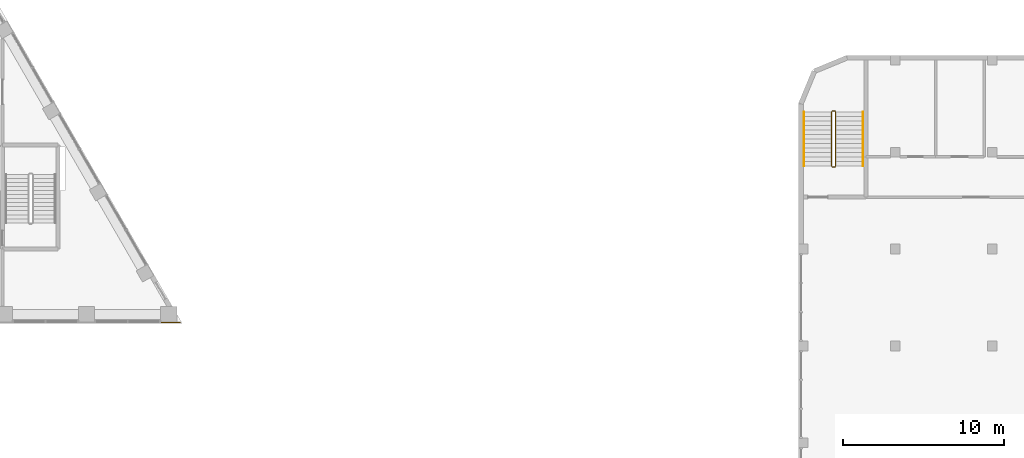
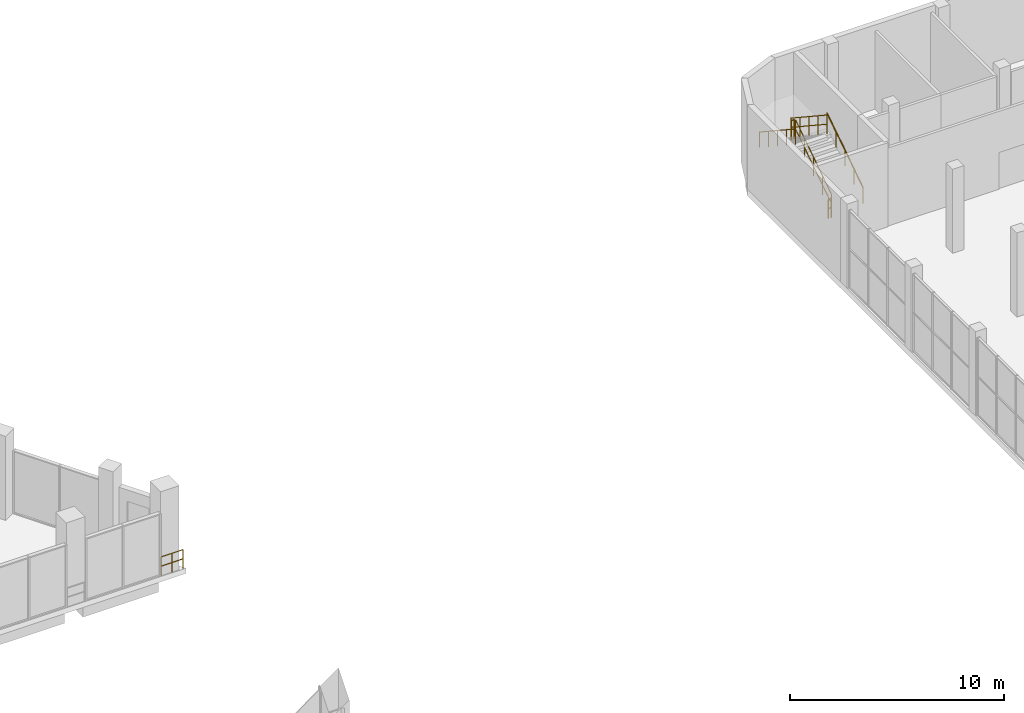
# One storey, part 41 of 45: 7 railings.
"""IFC4 building model written with IfcOpenShell, lengths in metres."""

from ifc_helpers import new_model, si_unit, direction, frame, origin, origin_2d, place, context, subcontext, project, spatial, circle, extrude, material, type_object, element, save


model = new_model("IFC4")

# Units and contexts
model_context = context("Model", 3, precision=1e-05, world=origin(), true_north=direction((0.0, 1.0)))
body_context = subcontext(model_context, "Body", "Model", "MODEL_VIEW")
ifc_project = project(units=[si_unit("LENGTHUNIT", "METRE"), si_unit("AREAUNIT", "SQUARE_METRE"), si_unit("VOLUMEUNIT", "CUBIC_METRE"), si_unit("PLANEANGLEUNIT", "RADIAN"), si_unit("MASSUNIT", "GRAM", prefix="KILO")], contexts=[model_context])

# Site, building, storey
site_placement = place(None, origin())
site = spatial("IfcSite", under=ifc_project, at=site_placement, CompositionType="ELEMENT")
building_placement = place(site_placement, origin())
building = spatial("IfcBuilding", under=site, at=building_placement, Name="Nakaniwa Court", CompositionType="ELEMENT")
storey_placement = place(building_placement, frame((0.0, 0.0, 6.60009765625)))
storey = spatial("IfcBuildingStorey", under=building, at=storey_placement, Name="L01", CompositionType="ELEMENT", Elevation=6.60009765625)

# Railings
ifc_material_1 = material(Name="Black powder-coated steel flat bar balustrade S275", Category="steel")
railing_type_1 = type_object("IfcRailingType", Name="Hall guard 1100", PredefinedType="GUARDRAIL", material=ifc_material_1)
railing_1_placement = place(storey_placement, frame((154.300048828125, 97.139892578125, 0.1845703125)))
element("IfcRailing", 1, at=railing_1_placement, inside=storey, type_object=railing_type_1, Name="L01 ST-H2 stair guard 1", PredefinedType="GUARDRAIL", context=body_context, shape_type="SweptSolid", body=[
    extrude(circle(Radius=0.02392578125, at=origin_2d()), frame((0.0, 0.0, 1.076171875), z_axis=(0.0, 0.834876476806, 0.550437342915), x_axis=(-1.0, 0.0, 0.0)), (0.0, 0.0, 1.0), 4.024658203125),
    extrude(circle(Radius=0.02392578125, at=origin_2d()), frame((0.0, 0.0, 0.550048828125), z_axis=(0.0, 0.834876476806, 0.550437342915), x_axis=(-1.0, 0.0, 0.0)), (0.0, 0.0, 1.0), 4.024658203125),
    extrude(circle(Radius=0.02099609375, at=origin_2d()), origin(), (0.0, 0.0, 1.0), 1.052001953125),
    extrude(circle(Radius=0.02099609375, at=origin_2d()), frame((0.0, 0.840087890625, 0.5537109375)), (0.0, 0.0, 1.0), 1.052001953125),
    extrude(circle(Radius=0.02099609375, at=origin_2d()), frame((0.0, 1.68017578125, 1.107666015625)), (0.0, 0.0, 1.0), 1.052001953125),
    extrude(circle(Radius=0.02099609375, at=origin_2d()), frame((0.0, 2.52001953125, 1.66162109375)), (0.0, 0.0, 1.0), 1.052001953125),
    extrude(circle(Radius=0.02099609375, at=origin_2d()), frame((0.0, 3.360107421875, 2.21533203125)), (0.0, 0.0, 1.0), 1.052001953125),
])
railing_2_placement = place(storey_placement, frame((154.25, 100.550048828125, 2.39990234375)))
element("IfcRailing", 2, at=railing_2_placement, inside=storey, type_object=railing_type_1, Name="L01 ST-H2 stair guard 2", PredefinedType="GUARDRAIL", context=body_context, shape_type="SweptSolid", body=[
    extrude(circle(Radius=0.02392578125, at=origin_2d()), frame((0.0, 0.0, 1.076171875), z_axis=(-1.0, 0.0, 0.0), x_axis=(0.0, -1.0, 0.0)), (0.0, 0.0, 1.0), 0.14990234375),
    extrude(circle(Radius=0.02392578125, at=origin_2d()), frame((0.0, 0.0, 0.550048828125), z_axis=(-1.0, 0.0, 0.0), x_axis=(0.0, -1.0, 0.0)), (0.0, 0.0, 1.0), 0.14990234375),
    extrude(circle(Radius=0.02099609375, at=origin_2d()), origin(), (0.0, 0.0, 1.0), 1.052001953125),
    extrude(circle(Radius=0.02099609375, at=origin_2d()), frame((-0.14990234375, 0.0, 0.0)), (0.0, 0.0, 1.0), 1.052001953125),
])
railing_3_placement = place(storey_placement, frame((154.050048828125, 100.5, 2.58447265625)))
element("IfcRailing", 3, at=railing_3_placement, inside=storey, type_object=railing_type_1, Name="L01 ST-H2 stair guard 3", PredefinedType="GUARDRAIL", context=body_context, shape_type="SweptSolid", body=[
    extrude(circle(Radius=0.02392578125, at=origin_2d()), frame((0.0, 0.0, 1.076171875), z_axis=(0.0, -0.834876476806, 0.550437342915), x_axis=(1.0, 0.0, 0.0)), (0.0, 0.0, 1.0), 4.024658203125),
    extrude(circle(Radius=0.02392578125, at=origin_2d()), frame((0.0, 0.0, 0.550048828125), z_axis=(0.0, -0.834876476806, 0.550437342915), x_axis=(1.0, 0.0, 0.0)), (0.0, 0.0, 1.0), 4.024658203125),
    extrude(circle(Radius=0.02099609375, at=origin_2d()), origin(), (0.0, 0.0, 1.0), 1.052001953125),
    extrude(circle(Radius=0.02099609375, at=origin_2d()), frame((0.0, -0.840087890625, 0.5537109375)), (0.0, 0.0, 1.0), 1.052001953125),
    extrude(circle(Radius=0.02099609375, at=origin_2d()), frame((0.0, -1.68017578125, 1.107666015625)), (0.0, 0.0, 1.0), 1.052001953125),
    extrude(circle(Radius=0.02099609375, at=origin_2d()), frame((0.0, -2.52001953125, 1.66162109375)), (0.0, 0.0, 1.0), 1.052001953125),
    extrude(circle(Radius=0.02099609375, at=origin_2d()), frame((0.0, -3.360107421875, 2.21533203125)), (0.0, 0.0, 1.0), 1.052001953125),
])
railing_4_placement = place(storey_placement, frame((154.25, 97.090087890625, 0.0)))
element("IfcRailing", 4, at=railing_4_placement, inside=storey, type_object=railing_type_1, Name="L01 ST-H2 stair guard 4", PredefinedType="GUARDRAIL", context=body_context, shape_type="SweptSolid", body=[
    extrude(circle(Radius=0.02392578125, at=origin_2d()), frame((0.0, 0.0, 1.076171875), z_axis=(-1.0, 0.0, 0.0), x_axis=(0.0, -1.0, 0.0)), (0.0, 0.0, 1.0), 0.14990234375),
    extrude(circle(Radius=0.02392578125, at=origin_2d()), frame((0.0, 0.0, 0.550048828125), z_axis=(-1.0, 0.0, 0.0), x_axis=(0.0, -1.0, 0.0)), (0.0, 0.0, 1.0), 0.14990234375),
    extrude(circle(Radius=0.02099609375, at=origin_2d()), origin(), (0.0, 0.0, 1.0), 1.052001953125),
    extrude(circle(Radius=0.02099609375, at=origin_2d()), frame((-0.14990234375, 0.0, 0.0)), (0.0, 0.0, 1.0), 1.052001953125),
])
ifc_material_2 = material(Name="Brushed stainless steel handrail Grade 304", Category="steel")
railing_type_2 = type_object("IfcRailingType", Name="Hall stair handrail 900", PredefinedType="HANDRAIL", material=ifc_material_2)
railing_5_placement = place(storey_placement, frame((156.0, 97.139892578125, 0.1845703125)))
element("IfcRailing", 5, at=railing_5_placement, inside=storey, type_object=railing_type_2, Name="L01 ST-H2 stair handrail 1", PredefinedType="HANDRAIL", context=body_context, shape_type="SweptSolid", body=[
    extrude(circle(Radius=0.02392578125, at=origin_2d()), frame((0.0, 0.0, 0.8759765625), z_axis=(0.0, 0.834876476806, 0.550437342915), x_axis=(-1.0, 0.0, 0.0)), (0.0, 0.0, 1.0), 4.024658203125),
    extrude(circle(Radius=0.02099609375, at=origin_2d()), origin(), (0.0, 0.0, 1.0), 0.851806640625),
    extrude(circle(Radius=0.02099609375, at=origin_2d()), frame((0.0, 0.840087890625, 0.5537109375)), (0.0, 0.0, 1.0), 0.851806640625),
    extrude(circle(Radius=0.02099609375, at=origin_2d()), frame((0.0, 1.68017578125, 1.107666015625)), (0.0, 0.0, 1.0), 0.851806640625),
    extrude(circle(Radius=0.02099609375, at=origin_2d()), frame((0.0, 2.52001953125, 1.66162109375)), (0.0, 0.0, 1.0), 0.851806640625),
    extrude(circle(Radius=0.02099609375, at=origin_2d()), frame((0.0, 3.360107421875, 2.21533203125)), (0.0, 0.0, 1.0), 0.851806640625),
])
railing_6_placement = place(storey_placement, frame((152.35009765625, 100.5, 2.58447265625)))
element("IfcRailing", 6, at=railing_6_placement, inside=storey, type_object=railing_type_2, Name="L01 ST-H2 stair handrail 2", PredefinedType="HANDRAIL", context=body_context, shape_type="SweptSolid", body=[
    extrude(circle(Radius=0.02392578125, at=origin_2d()), frame((0.0, 0.0, 0.8759765625), z_axis=(0.0, -0.834876476806, 0.550437342915), x_axis=(1.0, 0.0, 0.0)), (0.0, 0.0, 1.0), 4.024658203125),
    extrude(circle(Radius=0.02099609375, at=origin_2d()), origin(), (0.0, 0.0, 1.0), 0.851806640625),
    extrude(circle(Radius=0.02099609375, at=origin_2d()), frame((0.0, -0.840087890625, 0.5537109375)), (0.0, 0.0, 1.0), 0.851806640625),
    extrude(circle(Radius=0.02099609375, at=origin_2d()), frame((0.0, -1.68017578125, 1.107666015625)), (0.0, 0.0, 1.0), 0.851806640625),
    extrude(circle(Radius=0.02099609375, at=origin_2d()), frame((0.0, -2.52001953125, 1.66162109375)), (0.0, 0.0, 1.0), 0.851806640625),
    extrude(circle(Radius=0.02099609375, at=origin_2d()), frame((0.0, -3.360107421875, 2.21533203125)), (0.0, 0.0, 1.0), 0.851806640625),
])
ifc_material_3 = material(Name="Black powder coated steel guard", Category="steel")
railing_type_3 = type_object("IfcRailingType", Name="Stair guard 1100", PredefinedType="GUARDRAIL", material=ifc_material_3)
railing_7_placement = place(storey_placement, frame((113.702880859375, 87.449951171875, 0.0)))
element("IfcRailing", 7, at=railing_7_placement, inside=storey, type_object=railing_type_3, Name="GUARD GD-L01-011", PredefinedType="GUARDRAIL", context=body_context, shape_type="SweptSolid", body=[
    extrude(circle(Radius=0.02392578125, at=origin_2d()), frame((0.0, 0.0, 1.076171875), z_axis=(-1.0, 0.0, 0.0), x_axis=(0.0, -1.0, 0.0)), (0.0, 0.0, 1.0), 1.18896484375),
    extrude(circle(Radius=0.02392578125, at=origin_2d()), frame((0.0, 0.0, 0.550048828125), z_axis=(-1.0, 0.0, 0.0), x_axis=(0.0, -1.0, 0.0)), (0.0, 0.0, 1.0), 1.18896484375),
    extrude(circle(Radius=0.02099609375, at=origin_2d()), origin(), (0.0, 0.0, 1.0), 1.052001953125),
    extrude(circle(Radius=0.02099609375, at=origin_2d()), frame((-0.594482421875, 0.0, 0.0)), (0.0, 0.0, 1.0), 1.052001953125),
    extrude(circle(Radius=0.02099609375, at=origin_2d()), frame((-1.18896484375, 0.0, 0.0)), (0.0, 0.0, 1.0), 1.052001953125),
])

save(model, "model.ifc")
